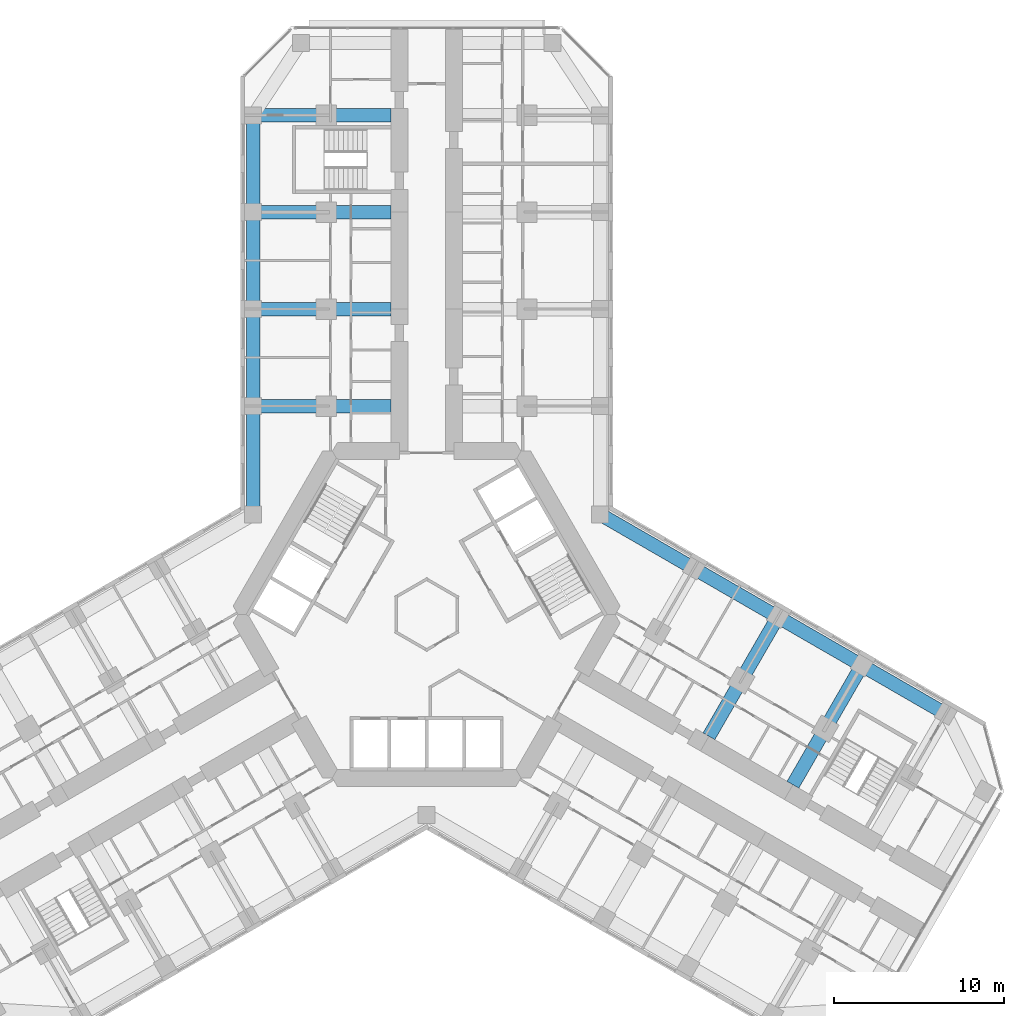
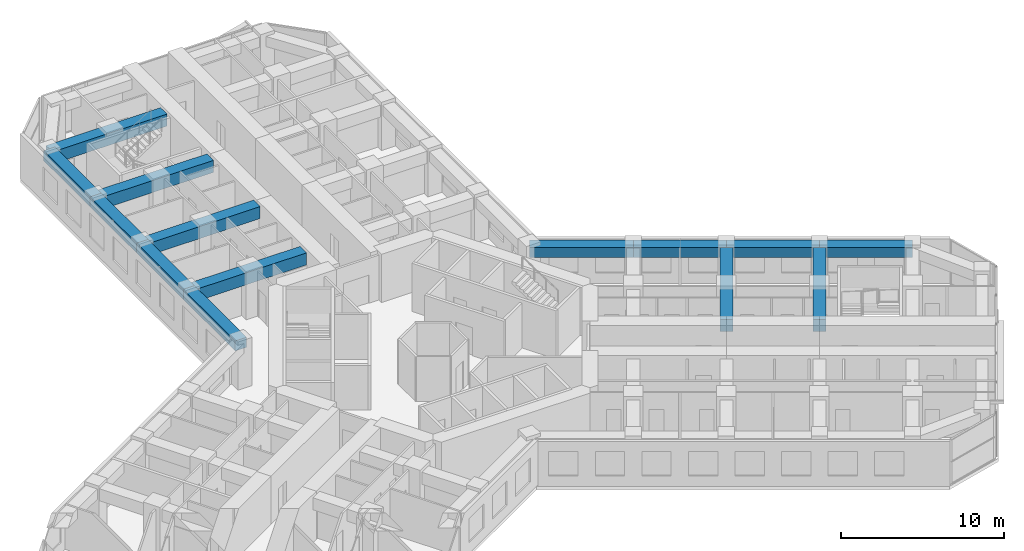
# One storey, part 6 of 21: 14 beams.
"""IFC4 building model written with IfcOpenShell, lengths in metres."""

from ifc_helpers import new_model, si_unit, direction, frame, origin, origin_2d, place, context, subcontext, project, spatial, rectangle, extrude, material, material_profile, profile_set, type_object, element, save


model = new_model("IFC4")

# Units and contexts
model_context = context("Model", 3, precision=1e-05, world=origin(), true_north=direction((0.0, 1.0)))
body_context = subcontext(model_context, "Body", "Model", "MODEL_VIEW")
ifc_project = project(units=[si_unit("LENGTHUNIT", "METRE"), si_unit("AREAUNIT", "SQUARE_METRE"), si_unit("VOLUMEUNIT", "CUBIC_METRE"), si_unit("PLANEANGLEUNIT", "RADIAN"), si_unit("MASSUNIT", "GRAM", prefix="KILO")], contexts=[model_context])

# Site, building, storey
site_placement = place(None, origin())
site = spatial("IfcSite", under=ifc_project, at=site_placement, CompositionType="ELEMENT")
building_placement = place(site_placement, origin())
building = spatial("IfcBuilding", under=site, at=building_placement, Name="Kosmar Iwan School Tower", CompositionType="ELEMENT")
storey_placement = place(building_placement, frame((0.0, 0.0, 71.800048828125)))
storey = spatial("IfcBuildingStorey", under=building, at=storey_placement, Name="L17", CompositionType="ELEMENT", Elevation=71.800048828125)

# Beams
ifc_material_1 = material(Name="Concrete C50/60", Category="concrete")
ifc_material_profile_1 = material_profile(ifc_material_1, rectangle(XDim=0.800048828125, YDim=0.75, at=origin_2d()), Name="RC 800x750")
ifc_profile_set_1 = profile_set([ifc_material_profile_1], Name="Concrete C50/60")
beam_type_1 = type_object("IfcBeamType", Name="RC edge beam 800x750", PredefinedType="BEAM", material=ifc_profile_set_1)
beam_1_placement = place(storey_placement, frame((-10.199951171875, 5.888916015625, 2.974853515625), z_axis=(0.0, 1.0, 0.0), x_axis=(-1.0, 0.0, 0.0)))
element("IfcBeam", 1, at=beam_1_placement, inside=storey, type_object=beam_type_1, Name="Edge beam AL1", PredefinedType="BEAM", context=body_context, shape_type="SweptSolid", body=[
    extrude(rectangle(XDim=0.800048828125, YDim=0.75, at=origin_2d()), origin(), (0.0, 0.0, 1.0), 6.361083984375),
])
for number, where, z_axis, x_axis, name in (
    (2, (-10.199951171875, 12.25, 2.974853515625), (0.0, 1.0, 0.0), (-1.0, 0.0, 0.0), "Edge beam AL2"),
    (3, (-10.199951171875, 17.949951171875, 2.974853515625), (0.0, 1.0, 0.0), (-1.0, 0.0, 0.0), "Edge beam AL3"),
):
    element("IfcBeam", number, at=place(storey_placement, frame(where, z_axis=z_axis, x_axis=x_axis)), inside=storey, type_object=beam_type_1, Name=name, PredefinedType="BEAM", context=body_context, shape_type="SweptSolid", body=[
        extrude(rectangle(XDim=0.800048828125, YDim=0.75, at=origin_2d()), origin(), (0.0, 0.0, 1.0), 5.699951171875),
    ])
beam_2_placement = place(storey_placement, frame((-10.199951171875, 23.64990234375, 2.974853515625), z_axis=(0.0, 1.0, 0.0), x_axis=(-1.0, 0.0, 0.0)))
element("IfcBeam", 4, at=beam_2_placement, inside=storey, type_object=beam_type_1, Name="Edge beam AL4", PredefinedType="BEAM", context=body_context, shape_type="SweptSolid", body=[
    extrude(rectangle(XDim=0.800048828125, YDim=0.75, at=origin_2d()), origin(), (0.0, 0.0, 1.0), 5.7001953125),
])
beam_3_placement = place(storey_placement, frame((10.199951171875, 5.888916015625, 2.974853515625), z_axis=(0.866030912664, -0.49999045822, 0.0), x_axis=(0.49999045822, 0.866030912664, 0.0)))
element("IfcBeam", 5, at=beam_3_placement, inside=storey, type_object=beam_type_1, Name="Edge beam CL1", PredefinedType="BEAM", context=body_context, shape_type="SweptSolid", body=[
    extrude(rectangle(XDim=0.800048828125, YDim=0.75, at=origin_2d()), origin(), (0.0, 0.0, 1.0), 6.36083984375),
])
beam_4_placement = place(storey_placement, frame((15.708740234375, 2.70849609375, 2.974853515625), z_axis=(0.866025820012, -0.499999279071, 0.0), x_axis=(0.499999279071, 0.866025820012, 0.0)))
element("IfcBeam", 6, at=beam_4_placement, inside=storey, type_object=beam_type_1, Name="Edge beam CL2", PredefinedType="BEAM", context=body_context, shape_type="SweptSolid", body=[
    extrude(rectangle(XDim=0.800048828125, YDim=0.75, at=origin_2d()), origin(), (0.0, 0.0, 1.0), 5.7001953125),
])
for number, where, z_axis, x_axis, name in (
    (7, (20.645263671875, -0.1416015625, 2.974853515625), (0.866033658841, -0.49998570155, 0.0), (0.49998570155, 0.866033658841, 0.0), "Edge beam CL3"),
    (8, (25.58154296875, -2.991455078125, 2.974853515625), (0.866015111908, -0.50001782563, 0.0), (0.50001782563, 0.866015111908, 0.0), "Edge beam CL4"),
):
    element("IfcBeam", number, at=place(storey_placement, frame(where, z_axis=z_axis, x_axis=x_axis)), inside=storey, type_object=beam_type_1, Name=name, PredefinedType="BEAM", context=body_context, shape_type="SweptSolid", body=[
        extrude(rectangle(XDim=0.800048828125, YDim=0.75, at=origin_2d()), origin(), (0.0, 0.0, 1.0), 5.699951171875),
    ])
ifc_material_2 = material(Name="Concrete C50/60", Category="concrete")
ifc_material_profile_2 = material_profile(ifc_material_2, rectangle(XDim=0.800048828125, YDim=0.89990234375, at=origin_2d()), Name="RC 800x900")
ifc_profile_set_2 = profile_set([ifc_material_profile_2], Name="Concrete C50/60")
beam_type_2 = type_object("IfcBeamType", Name="RC transverse beam 800x900", PredefinedType="BEAM", material=ifc_profile_set_2)
for number, where, z_axis, x_axis, name in (
    (9, (-10.199951171875, 12.25, 2.89990234375), (1.0, 0.0, 0.0), (0.0, 1.0, 0.0), "Transverse beam AL1"),
    (10, (-10.199951171875, 17.949951171875, 2.89990234375), (1.0, 0.0, 0.0), (0.0, 1.0, 0.0), "Transverse beam AL2"),
    (11, (-10.199951171875, 23.64990234375, 2.89990234375), (1.0, 0.0, 0.0), (0.0, 1.0, 0.0), "Transverse beam AL3"),
    (12, (-10.199951171875, 29.35009765625, 2.89990234375), (1.0, 0.0, 0.0), (0.0, 1.0, 0.0), "Transverse beam AL4"),
    (13, (20.645263671875, -0.1416015625, 2.89990234375), (-0.500012932018, -0.866017937352, 0.0), (0.866017937352, -0.500012932018, 0.0), "Transverse beam CL2"),
):
    element("IfcBeam", number, at=place(storey_placement, frame(where, z_axis=z_axis, x_axis=x_axis)), inside=storey, type_object=beam_type_2, Name=name, PredefinedType="BEAM", context=body_context, shape_type="SweptSolid", body=[
        extrude(rectangle(XDim=0.800048828125, YDim=0.89990234375, at=origin_2d()), origin(), (0.0, 0.0, 1.0), 8.099853515625),
    ])
beam_5_placement = place(storey_placement, frame((25.58154296875, -2.991455078125, 2.89990234375), z_axis=(-0.499999880539, -0.866025472755, 0.0), x_axis=(0.866025472755, -0.499999880539, 0.0)))
element("IfcBeam", 14, at=beam_5_placement, inside=storey, type_object=beam_type_2, Name="Transverse beam CL3", PredefinedType="BEAM", context=body_context, shape_type="SweptSolid", body=[
    extrude(rectangle(XDim=0.800048828125, YDim=0.89990234375, at=origin_2d()), origin(), (0.0, 0.0, 1.0), 8.10009765625),
])

save(model, "model.ifc")
